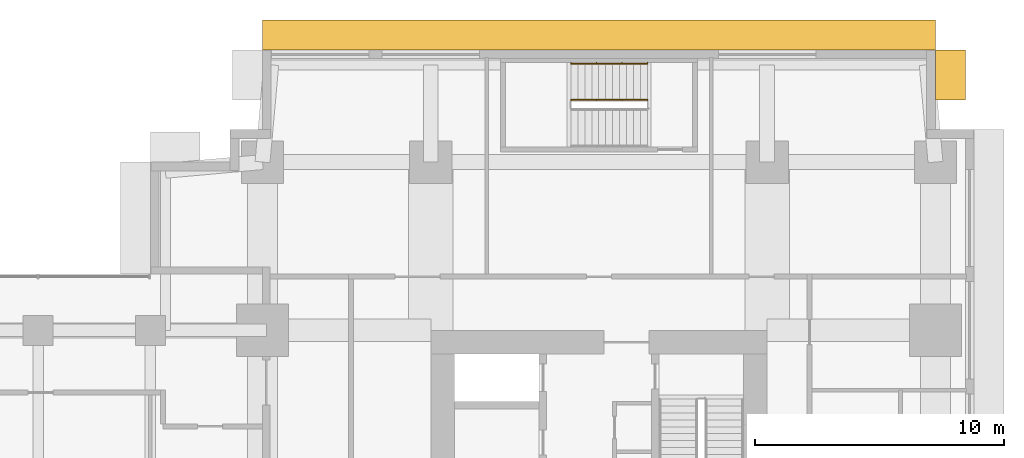
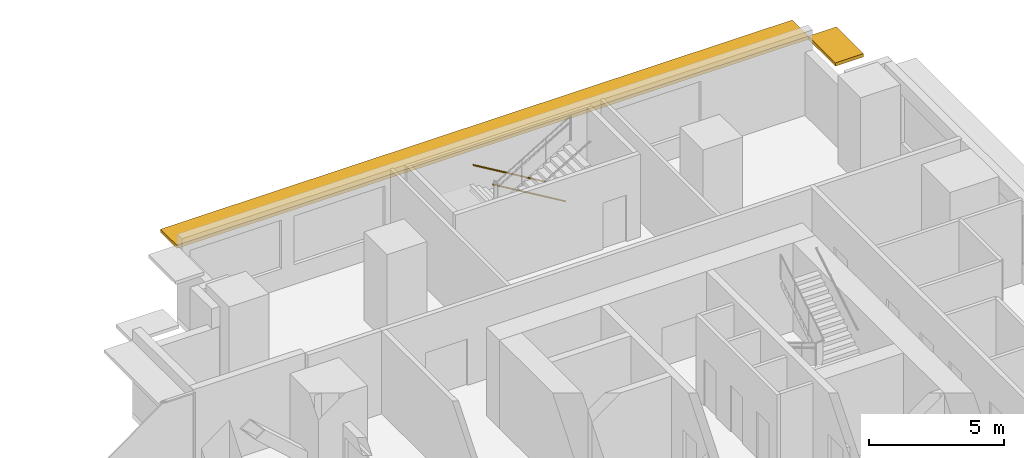
# One storey, part 16 of 16: 2 railings, 2 shading devices.
"""IFC4 building model written with IfcOpenShell, lengths in metres."""

from ifc_helpers import new_model, si_unit, direction, frame, origin, origin_2d, place, context, subcontext, project, spatial, rectangle, circle, extrude, material, layer, layer_set, type_object, element, save


model = new_model("IFC4")

# Units and contexts
model_context = context("Model", 3, precision=1e-05, world=origin(), true_north=direction((0.0, 1.0)))
body_context = subcontext(model_context, "Body", "Model", "MODEL_VIEW")
ifc_project = project(units=[si_unit("LENGTHUNIT", "METRE"), si_unit("AREAUNIT", "SQUARE_METRE"), si_unit("VOLUMEUNIT", "CUBIC_METRE"), si_unit("PLANEANGLEUNIT", "RADIAN"), si_unit("MASSUNIT", "GRAM", prefix="KILO")], contexts=[model_context])

# Site, building, storey
site_placement = place(None, origin())
site = spatial("IfcSite", under=ifc_project, at=site_placement, CompositionType="ELEMENT")
building_placement = place(site_placement, origin())
building = spatial("IfcBuilding", under=site, at=building_placement, Name="Namib Vertical Campus", CompositionType="ELEMENT")
storey_placement = place(building_placement, frame((0.0, 0.0, 121.0)))
storey = spatial("IfcBuildingStorey", under=building, at=storey_placement, Name="L28", CompositionType="ELEMENT", Elevation=121.0)

# Railings
ifc_material_1 = material(Name="Steel handrail", Category="steel")
railing_type = type_object("IfcRailingType", Name="Handrail 900", PredefinedType="HANDRAIL", material=ifc_material_1)
railing_1_placement = place(storey_placement, frame((82.949951171875, 39.949951171875, 0.166748046875)))
element("IfcRailing", 1, at=railing_1_placement, inside=storey, type_object=railing_type, Name="Handrail HR1 B-S3 L28 1", PredefinedType="HANDRAIL", context=body_context, shape_type="SweptSolid", body=[
    extrude(circle(Radius=0.02392578125, at=origin_2d()), frame((0.0, 0.0, 0.8759765625), z_axis=(-0.859290745958, 0.0, 0.51148745235), x_axis=(0.0, -1.0, 0.0)), (0.0, 0.0, 1.0), 3.584228515625),
    extrude(circle(Radius=0.008056640625, at=origin_2d()), frame((0.0, 0.0, 0.8759765625), z_axis=(0.0, 1.0, 0.0), x_axis=(0.0, 0.0, 1.0)), (0.0, 0.0, 1.0), 0.050048828125),
    extrude(circle(Radius=0.008056640625, at=origin_2d()), frame((-1.026611328125, 0.0, 1.48681640625), z_axis=(0.0, 1.0, 0.0), x_axis=(0.0, 0.0, 1.0)), (0.0, 0.0, 1.0), 0.050048828125),
    extrude(circle(Radius=0.008056640625, at=origin_2d()), frame((-2.05322265625, 0.0, 2.09814453125), z_axis=(0.0, 1.0, 0.0), x_axis=(0.0, 0.0, 1.0)), (0.0, 0.0, 1.0), 0.050048828125),
    extrude(circle(Radius=0.008056640625, at=origin_2d()), frame((-3.079833984375, 0.0, 2.708984375), z_axis=(0.0, 1.0, 0.0), x_axis=(0.0, 0.0, 1.0)), (0.0, 0.0, 1.0), 0.050048828125),
])
railing_2_placement = place(storey_placement, frame((82.949951171875, 38.5, 0.166748046875)))
element("IfcRailing", 2, at=railing_2_placement, inside=storey, type_object=railing_type, Name="Handrail HR1 B-S3 L28 1 at the well", PredefinedType="HANDRAIL", context=body_context, shape_type="SweptSolid", body=[
    extrude(circle(Radius=0.02392578125, at=origin_2d()), frame((0.0, 0.0, 0.8759765625), z_axis=(-0.859290745958, 0.0, 0.51148745235), x_axis=(0.0, -1.0, 0.0)), (0.0, 0.0, 1.0), 3.584228515625),
    extrude(circle(Radius=0.008056640625, at=origin_2d()), frame((0.0, 0.0, 0.8759765625), z_axis=(0.0, -1.0, 0.0), x_axis=(0.0, 0.0, 1.0)), (0.0, 0.0, 1.0), 0.0400390625),
    extrude(circle(Radius=0.008056640625, at=origin_2d()), frame((-1.026611328125, 0.0, 1.48681640625), z_axis=(0.0, -1.0, 0.0), x_axis=(0.0, 0.0, 1.0)), (0.0, 0.0, 1.0), 0.0400390625),
    extrude(circle(Radius=0.008056640625, at=origin_2d()), frame((-2.05322265625, 0.0, 2.09814453125), z_axis=(0.0, -1.0, 0.0), x_axis=(0.0, 0.0, 1.0)), (0.0, 0.0, 1.0), 0.0400390625),
    extrude(circle(Radius=0.008056640625, at=origin_2d()), frame((-3.079833984375, 0.0, 2.708984375), z_axis=(0.0, -1.0, 0.0), x_axis=(0.0, 0.0, 1.0)), (0.0, 0.0, 1.0), 0.0400390625),
])

# Shading devices
ifc_material_2 = material(Name="Concrete C40/50 precast", Category="concrete")
ifc_layer = layer(ifc_material_2, 0.14990234375)
ifc_layer_set = layer_set([ifc_layer], Name="Concrete C40/50 precast")
shading_device_type = type_object("IfcShadingDeviceType", Name="Sunshade hood 1200", PredefinedType="SHUTTER", material=ifc_layer_set)
shading_device_1_placement = place(storey_placement, frame((95.10009765625, 39.5, 3.10009765625), z_axis=(0.0, 0.0, 1.0), x_axis=(0.0, 1.0, 0.0)))
element("IfcShadingDevice", 3, at=shading_device_1_placement, inside=storey, type_object=shading_device_type, Name="Sunshade SH2 L28 7", PredefinedType="SHUTTER", context=body_context, shape_type="SweptSolid", body=[
    extrude(rectangle(XDim=2.0, YDim=1.199951171875, at=origin_2d()), origin(), (0.0, 0.0, 1.0), 0.14990234375),
])
shading_device_2_placement = place(storey_placement, frame((81.0, 41.10009765625, 3.10009765625), z_axis=(0.0, 0.0, 1.0), x_axis=(-1.0, 0.0, 0.0)))
element("IfcShadingDevice", 4, at=shading_device_2_placement, inside=storey, type_object=shading_device_type, Name="Sunshade SH2 L28 8", PredefinedType="SHUTTER", context=body_context, shape_type="SweptSolid", body=[
    extrude(rectangle(XDim=27.0, YDim=1.199951171875, at=origin_2d()), origin(), (0.0, 0.0, 1.0), 0.14990234375),
])

save(model, "model.ifc")
